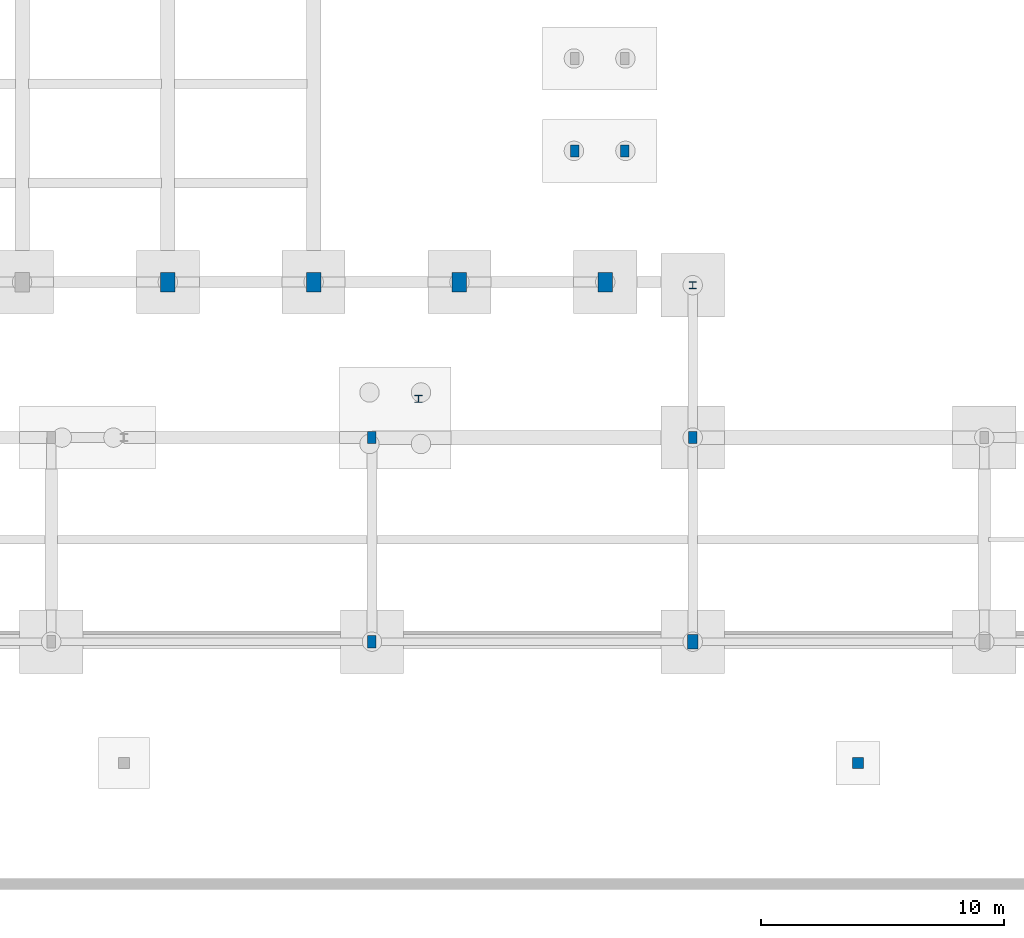
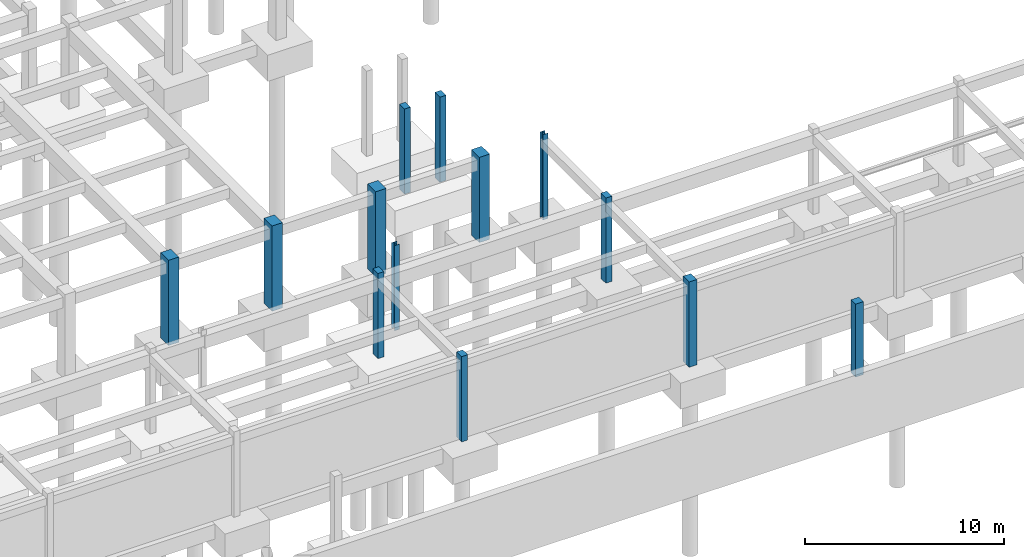
# One storey, part 9 of 37: 13 columns.
"""IFC4 building model written with IfcOpenShell, lengths in metres."""

import ifcopenshell
import ifcopenshell.guid

model = None  # the IFC model being written
_history = None  # IfcOwnerHistory: only IFC2X3 demands one
_inside = {}  # id of a spatial element -> (the spatial element, [elements in it])
_under = {}  # id of a project, library or spatial element -> (it, [spatial elements below it])
_declared = {}  # id of a project -> (the project, [libraries it declares])
_typed = {}  # id of a type object -> (the type object, [elements of that type])
_made_of = {}  # id of a material, layer set ... -> (it, [elements and type objects made of it])


def new_model(schema):
    """Start an empty IFC model of exactly this schema.

    Asked for "IFC4X3", IfcOpenShell would pick the latest addendum, in which some entities
    have other attributes; the version numbers below select the first issue.
    IFC2X3 requires an IfcOwnerHistory on every rooted entity: one is made here for all.
    """
    global model, _history
    if schema == "IFC4X3":
        model = ifcopenshell.file(schema_version=(4, 3, 0, 0))
    else:
        model = ifcopenshell.file(schema=schema)
    _inside.clear()
    _under.clear()
    _declared.clear()
    _typed.clear()
    _made_of.clear()
    _history = None
    if model.schema == "IFC2X3":
        org = make("IfcOrganization", Name="unknown")
        user = make(
            "IfcPersonAndOrganization",
            ThePerson=make("IfcPerson", FamilyName="unknown"),
            TheOrganization=org,
        )
        app = make(
            "IfcApplication",
            ApplicationDeveloper=org,
            Version="unknown",
            ApplicationFullName="unknown",
            ApplicationIdentifier="unknown",
        )
        _history = make(
            "IfcOwnerHistory",
            OwningUser=user,
            OwningApplication=app,
            ChangeAction="ADDED",
            CreationDate=0,
        )
    return model


def make(cls, **values):
    """One entity of the class cls with the attributes given. An attribute that is None is left unset."""
    return model.create_entity(
        cls, **{name: value for name, value in values.items() if value is not None}
    )


def rooted(cls, **values):
    """An entity with a GlobalId (a new one), such as an element, a storey or a relation."""
    return make(cls, GlobalId=ifcopenshell.guid.new(), OwnerHistory=_history, **values)


def si_unit(unit_type, name, prefix=None):
    """IfcSIUnit, for example si_unit("LENGTHUNIT", "METRE", prefix="MILLI")."""
    return make("IfcSIUnit", UnitType=unit_type, Prefix=prefix, Name=name)


def assignment(units):
    """IfcUnitAssignment: the units of a project."""
    return None if units is None else make("IfcUnitAssignment", Units=units)


def point(xyz):
    """IfcCartesianPoint."""
    return None if xyz is None else make("IfcCartesianPoint", Coordinates=xyz)


def direction(xyz):
    """IfcDirection."""
    return None if xyz is None else make("IfcDirection", DirectionRatios=xyz)


def frame(location, z_axis=None, x_axis=None):
    """IfcAxis2Placement3D, a coordinate frame: its origin and axes. An axis left out is left unset."""
    return make(
        "IfcAxis2Placement3D",
        Location=point(location),
        Axis=direction(z_axis),
        RefDirection=direction(x_axis),
    )


def frame_2d(location, x_axis=None):
    """IfcAxis2Placement2D, a coordinate frame in the plane: its origin and x axis."""
    return make(
        "IfcAxis2Placement2D", Location=point(location), RefDirection=direction(x_axis)
    )


def origin():
    """The frame at (0, 0, 0) with its axes left unset."""
    return frame((0.0, 0.0, 0.0))


def origin_2d():
    """The frame at (0, 0) in the plane with its x axis left unset."""
    return frame_2d((0.0, 0.0))


def place(relative_to, where):
    """IfcLocalPlacement: puts the frame where relative to a parent placement (None: the world)."""
    return make(
        "IfcLocalPlacement", PlacementRelTo=relative_to, RelativePlacement=where
    )


def context(
    kind, dimensions, precision=None, world=None, true_north=None, identifier=None
):
    """IfcGeometricRepresentationContext, for example the 3D "Model" context."""
    return make(
        "IfcGeometricRepresentationContext",
        ContextIdentifier=identifier,
        ContextType=kind,
        CoordinateSpaceDimension=dimensions,
        Precision=precision,
        WorldCoordinateSystem=world,
        TrueNorth=true_north,
    )


def subcontext(parent, identifier, kind, view, scale=None):
    """IfcGeometricRepresentationSubContext, for example "Body" below "Model"."""
    return make(
        "IfcGeometricRepresentationSubContext",
        ContextIdentifier=identifier,
        ContextType=kind,
        ParentContext=parent,
        TargetScale=scale,
        TargetView=view,
    )


def project(units=None, contexts=None):
    """IfcProject with its units and contexts."""
    return rooted(
        "IfcProject",
        Name="project",
        RepresentationContexts=contexts,
        UnitsInContext=assignment(units),
    )


def spatial(cls, under=None, at=None, **own):
    """A site, building, storey or space (cls), placed at a placement, below another one or the project."""
    s = rooted(cls, ObjectPlacement=at, **own)
    if under is not None:
        _under.setdefault(under.id(), (under, []))[1].append(s)
    return s


def profile(cls, at=None, kind="AREA", **sizes):
    """A parametric profile (cls). Its sizes go by their IFC names, for example OverallWidth=200.0."""
    return make(cls, ProfileType=kind, Position=at, **sizes)


def rectangle(**sizes):
    """IfcRectangleProfileDef."""
    return profile("IfcRectangleProfileDef", **sizes)


def i_section(**sizes):
    """IfcIShapeProfileDef."""
    return profile("IfcIShapeProfileDef", **sizes)


def extrude(swept, where, along, depth):
    """IfcExtrudedAreaSolid: the profile swept, set in the frame where, extruded along a direction by depth."""
    return make(
        "IfcExtrudedAreaSolid",
        SweptArea=swept,
        Position=where,
        ExtrudedDirection=direction(along),
        Depth=depth,
    )


def shape(context_of_items, identifier, shape_type, items):
    """IfcShapeRepresentation: the items that make up one representation, for example the "Body"."""
    return make(
        "IfcShapeRepresentation",
        ContextOfItems=context_of_items,
        RepresentationIdentifier=identifier,
        RepresentationType=shape_type,
        Items=items,
    )


def material(Name=None, Category=None):
    """IfcMaterial."""
    return make("IfcMaterial", Name=Name, Category=Category)


def material_profile(
    of_material, cross_section, Name=None, Category=None, Priority=None
):
    """IfcMaterialProfile: a cross section and its material."""
    return make(
        "IfcMaterialProfile",
        Name=Name,
        Material=of_material,
        Profile=cross_section,
        Priority=Priority,
        Category=Category,
    )


def profile_set(profiles, Name=None, composite=None):
    """IfcMaterialProfileSet."""
    return make(
        "IfcMaterialProfileSet",
        Name=Name,
        MaterialProfiles=profiles,
        CompositeProfile=composite,
    )


def made_of(thing, what):
    """Note that an element or type object is made of a material, layer set ...; save() writes the relation."""
    if what is not None:
        _made_of.setdefault(what.id(), (what, []))[1].append(thing)
    return thing


def type_object(cls, material=None, **own):
    """A type object (cls), such as IfcWallType, which elements share."""
    return made_of(rooted(cls, **own), material)


def element(
    cls,
    number,
    at=None,
    inside=None,
    cuts=None,
    type_object=None,
    material=None,
    context=None,
    identifier="Body",
    shape_type=None,
    held_by="IfcProductDefinitionShape",
    body=None,
    shapes=None,
    **own,
):
    """One element of the class cls, such as IfcWall. Its Tag is "e" and its number.

    at: its placement. inside: the storey or other place that contains it. cuts: it is an
    opening in that element (IfcRelVoidsElement). A single representation is given by context,
    identifier, shape_type and body (its items); several are given by shapes. held_by: the class
    of the entity that holds the representations. save() writes the other relations.
    """
    e = rooted(cls, Tag="e%d" % number, ObjectPlacement=at, **own)
    if body is not None:
        shapes = [shape(context, identifier, shape_type, body)]
    if shapes is not None:
        e.Representation = make(held_by, Representations=shapes)
    if inside is not None:
        _inside.setdefault(inside.id(), (inside, []))[1].append(e)
    if cuts is not None:
        rooted(
            "IfcRelVoidsElement", RelatingBuildingElement=cuts, RelatedOpeningElement=e
        )
    if type_object is not None:
        _typed.setdefault(type_object.id(), (type_object, []))[1].append(e)
    return made_of(e, material)


def aggregate(whole, parts):
    """IfcRelAggregates: a whole, such as a stair, and the parts it consists of."""
    return rooted("IfcRelAggregates", RelatingObject=whole, RelatedObjects=parts)


def save(model, path):
    """Write the relations noted so far, then the file.

    IfcRelAggregates (storeys below a building ...), IfcRelContainedInSpatialStructure (elements
    in a storey), IfcRelDefinesByType, IfcRelAssociatesMaterial and IfcRelDeclares: one each for
    every whole, place, type object, material and project.
    """
    for whole, parts in _under.values():
        aggregate(whole, parts)
    for where, things in _inside.values():
        rooted(
            "IfcRelContainedInSpatialStructure",
            RelatedElements=things,
            RelatingStructure=where,
        )
    for kind, things in _typed.values():
        rooted("IfcRelDefinesByType", RelatedObjects=things, RelatingType=kind)
    for what, things in _made_of.values():
        rooted("IfcRelAssociatesMaterial", RelatedObjects=things, RelatingMaterial=what)
    for by, libraries in _declared.values():
        rooted("IfcRelDeclares", RelatingContext=by, RelatedDefinitions=libraries)
    model.write(path)


model = new_model("IFC4")

# Units and contexts
model_context = context("Model", 3, precision=1e-05, world=origin(), true_north=direction((0.0, 1.0)))
body_context = subcontext(model_context, "Body", "Model", "MODEL_VIEW")
ifc_project = project(units=[si_unit("LENGTHUNIT", "METRE"), si_unit("AREAUNIT", "SQUARE_METRE"), si_unit("VOLUMEUNIT", "CUBIC_METRE"), si_unit("PLANEANGLEUNIT", "RADIAN"), si_unit("MASSUNIT", "GRAM", prefix="KILO")], contexts=[model_context])

# Site, building, storey
site_placement = place(None, origin())
site = spatial("IfcSite", under=ifc_project, at=site_placement, CompositionType="ELEMENT")
building_placement = place(site_placement, origin())
building = spatial("IfcBuilding", under=site, at=building_placement, Name="Tarnavel Promenade Courthouse", CompositionType="ELEMENT")
storey_placement = place(building_placement, frame((0.0, 0.0, -4.800048828125)))
storey = spatial("IfcBuildingStorey", under=building, at=storey_placement, Name="B01", CompositionType="ELEMENT", Elevation=-4.800048828125)

# Columns
ifc_material_1 = material(Name="Concrete C40/50", Category="concrete")
ifc_material_profile_1 = material_profile(ifc_material_1, rectangle(XDim=0.35009765625, YDim=0.5, at=origin_2d()), Name="RC 350x500")
ifc_profile_set_1 = profile_set([ifc_material_profile_1], Name="Concrete C40/50")
column_type_1 = type_object("IfcColumnType", Name="Concrete C40/50 COL-PIL-350x500 (RC 350x500)", PredefinedType="PILASTER", material=ifc_profile_set_1)
for number, where, z_axis, x_axis, name in (
    (1, (42.0, 0.0, -0.419921875), (0.0, 0.0, 1.0), (1.0, 0.0, 0.0), "B01 Structural Column 1090"),
    (2, (42.0, 8.39990234375, -0.419921875), (0.0, 0.0, 1.0), (1.0, 0.0, 0.0), "B01 Structural Column 1091"),
    (3, (55.199951171875, 8.39990234375, -0.419921875), (0.0, 0.0, 1.0), (1.0, 0.0, 0.0), "B01 Structural Column 1094"),
    (4, (50.340087890625, 20.199951171875, -0.419921875), (0.0, 0.0, 1.0), (1.0, 0.0, 0.0), "B01 Structural Column 1142"),
    (5, (52.39990234375, 20.199951171875, -0.419921875), (0.0, 0.0, 1.0), (1.0, 0.0, 0.0), "B01 Structural Column 1144"),
):
    element("IfcColumn", number, at=place(storey_placement, frame(where, z_axis=z_axis, x_axis=x_axis)), inside=storey, type_object=column_type_1, Name=name, PredefinedType="PILASTER", context=body_context, shape_type="SweptSolid", body=[
        extrude(rectangle(XDim=0.35009765625, YDim=0.5, at=origin_2d()), origin(), (0.0, 0.0, 1.0), 5.219970703125),
    ])
ifc_material_profile_2 = material_profile(ifc_material_1, rectangle(XDim=0.449951171875, YDim=0.60009765625, at=origin_2d()), Name="RC 450x600")
ifc_profile_set_2 = profile_set([ifc_material_profile_2], Name="Concrete C40/50")
column_type_2 = type_object("IfcColumnType", Name="Concrete C40/50 COL-PIL-450x600 (RC 450x600)", PredefinedType="PILASTER", material=ifc_profile_set_2)
column_1_placement = place(storey_placement, frame((55.199951171875, 0.0, -0.419921875), z_axis=(0.0, 0.0, 1.0), x_axis=(1.0, 0.0, 0.0)))
element("IfcColumn", 6, at=column_1_placement, inside=storey, type_object=column_type_2, Name="B01 Structural Column 1092", PredefinedType="PILASTER", context=body_context, shape_type="SweptSolid", body=[
    extrude(rectangle(XDim=0.449951171875, YDim=0.60009765625, at=origin_2d()), origin(), (0.0, 0.0, 1.0), 5.219970703125),
])
ifc_material_profile_3 = material_profile(ifc_material_1, rectangle(XDim=0.449951171875, YDim=0.449951171875, at=origin_2d()), Name="RC 450x450")
ifc_profile_set_3 = profile_set([ifc_material_profile_3], Name="Concrete C40/50")
column_type_3 = type_object("IfcColumnType", Name="Concrete C40/50 COL-RC450-PAV (RC 450x450)", PredefinedType="COLUMN", material=ifc_profile_set_3)
column_2_placement = place(storey_placement, frame((62.0, -5.0, -0.419921875), z_axis=(0.0, 0.0, 1.0), x_axis=(1.0, 0.0, 0.0)))
element("IfcColumn", 7, at=column_2_placement, inside=storey, type_object=column_type_3, Name="Plinth Frost Pedestal 03", PredefinedType="COLUMN", context=body_context, shape_type="SweptSolid", body=[
    extrude(rectangle(XDim=0.449951171875, YDim=0.449951171875, at=origin_2d()), origin(), (0.0, 0.0, 1.0), 4.469970703125),
])
ifc_material_profile_4 = material_profile(ifc_material_1, rectangle(XDim=0.60009765625, YDim=0.800048828125, at=origin_2d()), Name="RC 600x800")
ifc_profile_set_4 = profile_set([ifc_material_profile_4], Name="Concrete C40/50")
column_type_4 = type_object("IfcColumnType", Name="Concrete C40/50 COL-RC600x800 (RC 600x800)", PredefinedType="COLUMN", material=ifc_profile_set_4)
for number, where, z_axis, x_axis, name in (
    (8, (33.60009765625, 14.800048828125, -0.419921875), (0.0, 0.0, 1.0), (1.0, 0.0, 0.0), "B01 Structural Column 0678"),
    (9, (39.60009765625, 14.800048828125, -0.419921875), (0.0, 0.0, 1.0), (1.0, 0.0, 0.0), "B01 Structural Column 0686"),
    (10, (45.60009765625, 14.800048828125, -0.419921875), (0.0, 0.0, 1.0), (1.0, 0.0, 0.0), "B01 Structural Column 0694"),
    (11, (51.60009765625, 14.800048828125, -0.419921875), (0.0, 0.0, 1.0), (1.0, 0.0, 0.0), "B01 Structural Column 0702"),
):
    element("IfcColumn", number, at=place(storey_placement, frame(where, z_axis=z_axis, x_axis=x_axis)), inside=storey, type_object=column_type_4, Name=name, PredefinedType="COLUMN", context=body_context, shape_type="SweptSolid", body=[
        extrude(rectangle(XDim=0.60009765625, YDim=0.800048828125, at=origin_2d()), origin(), (0.0, 0.0, 1.0), 5.219970703125),
    ])
ifc_material_2 = material(Name="Steel S355J2", Category="steel")
ifc_material_profile_5 = material_profile(ifc_material_2, i_section(OverallWidth=0.300048828125, OverallDepth=0.300048828125, WebThickness=0.010986328125, FlangeThickness=0.01904296875, FilletRadius=0.027099609375, at=origin_2d()), Name="HEB 300")
ifc_profile_set_5 = profile_set([ifc_material_profile_5], Name="Steel S355J2")
column_type_5 = type_object("IfcColumnType", Name="Steel S355J2 COL-STL-HEB300 (HEB 300)", PredefinedType="COLUMN", material=ifc_profile_set_5)
for number, where, z_axis, x_axis, name in (
    (12, (43.91259765625, 9.99462890625, -0.419921875), (0.0, 0.0, 1.0), (1.0, 0.0, 0.0), "B01 Structural Column 0718"),
    (13, (55.199951171875, 14.669921875, -0.419921875), (0.0, 0.0, 1.0), (1.0, 0.0, 0.0), "B01 Structural Column 0722"),
):
    element("IfcColumn", number, at=place(storey_placement, frame(where, z_axis=z_axis, x_axis=x_axis)), inside=storey, type_object=column_type_5, Name=name, PredefinedType="COLUMN", context=body_context, shape_type="SweptSolid", body=[
        extrude(i_section(OverallWidth=0.300048828125, OverallDepth=0.300048828125, WebThickness=0.010986328125, FlangeThickness=0.01904296875, FilletRadius=0.027099609375, at=origin_2d()), origin(), (0.0, 0.0, 1.0), 5.219970703125),
    ])

save(model, "model.ifc")
